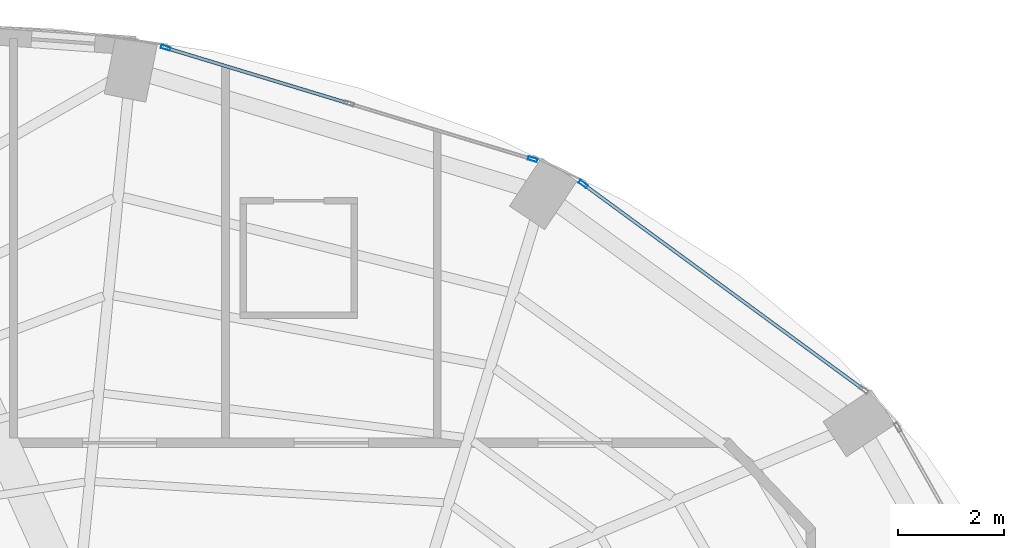
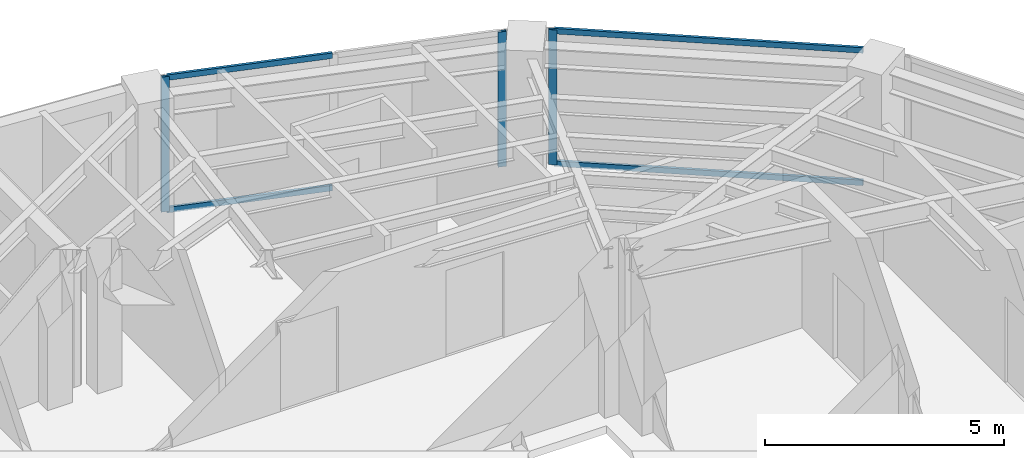
# One storey, part 17 of 23: 7 members, 2 elements without a shape of their own.
"""IFC4 building model written with IfcOpenShell, lengths in metres."""

from ifc_helpers import new_model, si_unit, direction, frame, origin, origin_2d, place, context, subcontext, project, spatial, hollow_rectangle, extrude, material, layer, layer_set, material_profile, profile_set, type_object, element, aggregate, save


model = new_model("IFC4")

# Units and contexts
model_context = context("Model", 3, precision=1e-05, world=origin(), true_north=direction((0.0, 1.0)))
body_context = subcontext(model_context, "Body", "Model", "MODEL_VIEW")
ifc_project = project(units=[si_unit("LENGTHUNIT", "METRE"), si_unit("AREAUNIT", "SQUARE_METRE"), si_unit("VOLUMEUNIT", "CUBIC_METRE"), si_unit("PLANEANGLEUNIT", "RADIAN"), si_unit("MASSUNIT", "GRAM", prefix="KILO")], contexts=[model_context])

# Site, building, storey
site_placement = place(None, origin())
site = spatial("IfcSite", under=ifc_project, at=site_placement, CompositionType="ELEMENT")
building_placement = place(site_placement, origin())
building = spatial("IfcBuilding", under=site, at=building_placement, Name="Lazwardi Medical Tower", CompositionType="ELEMENT")
storey_placement = place(building_placement, frame((0.0, 0.0, 202.1279296875)))
storey = spatial("IfcBuildingStorey", under=building, at=storey_placement, Name="L52", CompositionType="ELEMENT", Elevation=202.1279296875)

# Curtain wall, member
ifc_material_1 = material(Name="Anodised bronze aluminium and solar control glazing", Category="aluminium")
ifc_layer = layer(ifc_material_1, 0.18994140625)
ifc_layer_set = layer_set([ifc_layer], Name="Anodised bronze aluminium and solar control glazing")
curtain_wall_type = type_object("IfcCurtainWallType", Name="CW-SYS-04", PredefinedType="NOTDEFINED", material=ifc_layer_set)
curtain_wall_1_placement = place(storey_placement, origin())
curtain_wall_1 = element("IfcCurtainWall", 1, at=curtain_wall_1_placement, inside=storey, type_object=curtain_wall_type, Name="L52 Unitised bronze curtain wall CW-04", PredefinedType="NOTDEFINED")
ifc_material_2 = material(Name="Anodised bronze aluminium", Category="aluminium")
ifc_material_profile_1 = material_profile(ifc_material_2, hollow_rectangle(XDim=0.06494140625, YDim=0.179931640625, WallThickness=0.00390625, at=origin_2d()), Name="ALU-MULLION 180x65x4")
ifc_profile_set_1 = profile_set([ifc_material_profile_1], Name="Anodised bronze aluminium")
member_type_1 = type_object("IfcMemberType", Name="CW-MUL-03", PredefinedType="MULLION", material=ifc_profile_set_1)
member_1_placement = place(storey_placement, frame((48.75537109375, 43.634765625, 0.0), z_axis=(0.0, 0.0, 1.0), x_axis=(-0.591268230971, -0.806474971121, 0.0)))
member_1 = element("IfcMember", 2, at=member_1_placement, type_object=member_type_1, Name="CW-04 mullion 2", PredefinedType="MULLION", context=body_context, shape_type="SweptSolid", body=[
    extrude(hollow_rectangle(XDim=0.06494140625, YDim=0.179931640625, WallThickness=0.00390625, at=origin_2d()), origin(), (0.0, 0.0, 1.0), 3.447998046875),
])

# Curtain wall, members
curtain_wall_2_placement = place(storey_placement, origin())
curtain_wall_2 = element("IfcCurtainWall", 3, at=curtain_wall_2_placement, inside=storey, type_object=curtain_wall_type, Name="L52 Unitised bronze curtain wall CW-04", PredefinedType="NOTDEFINED")
member_2_placement = place(storey_placement, frame((47.7998046875, 44.103515625, 0.0), z_axis=(0.0, 0.0, 1.0), x_axis=(-0.290581889515, -0.956850126972, 0.0)))
member_2 = element("IfcMember", 4, at=member_2_placement, type_object=member_type_1, Name="CW-04 mullion 1", PredefinedType="MULLION", context=body_context, shape_type="SweptSolid", body=[
    extrude(hollow_rectangle(XDim=0.06494140625, YDim=0.179931640625, WallThickness=0.00390625, at=origin_2d()), origin(), (0.0, 0.0, 1.0), 3.447998046875),
])
member_3_placement = place(storey_placement, frame((40.873046875, 46.20703125, 0.0), z_axis=(0.0, 0.0, 1.0), x_axis=(-0.290581889515, -0.956850126972, 0.0)))
member_3 = element("IfcMember", 5, at=member_3_placement, type_object=member_type_1, Name="CW-04 mullion 3", PredefinedType="MULLION", context=body_context, shape_type="SweptSolid", body=[
    extrude(hollow_rectangle(XDim=0.06494140625, YDim=0.179931640625, WallThickness=0.00390625, at=origin_2d()), origin(), (0.0, 0.0, 1.0), 3.447998046875),
])

# Member
ifc_material_profile_2 = material_profile(ifc_material_2, hollow_rectangle(XDim=0.06494140625, YDim=0.139892578125, WallThickness=0.00341796875, at=origin_2d()), Name="ALU-TRANSOM 140x65x3.5")
ifc_profile_set_2 = profile_set([ifc_material_profile_2], Name="Anodised bronze aluminium")
member_type_2 = type_object("IfcMemberType", Name="CW-TRN-03", PredefinedType="USERDEFINED", material=ifc_profile_set_2)
member_4_placement = place(storey_placement, frame((54.02587890625, 39.770751953125, 0.032470703125), z_axis=(-0.806471831148, 0.591272513791, 0.0), x_axis=(-0.591272513791, -0.806471831148, 0.0)))
member_4 = element("IfcMember", 6, at=member_4_placement, type_object=member_type_2, Name="CW-04 transom 1.1", ObjectType="TRANSOM", PredefinedType="USERDEFINED", context=body_context, shape_type="SweptSolid", body=[
    extrude(hollow_rectangle(XDim=0.06494140625, YDim=0.139892578125, WallThickness=0.00341796875, at=origin_2d()), origin(), (0.0, 0.0, 1.0), 6.5029296875),
])

member_5_placement = place(storey_placement, frame((54.02587890625, 39.770751953125, 3.41552734375), z_axis=(-0.806471831148, 0.591272513791, 0.0), x_axis=(-0.591272513791, -0.806471831148, 0.0)))
member_5 = element("IfcMember", 7, at=member_5_placement, type_object=member_type_2, Name="CW-04 transom 1.2", ObjectType="TRANSOM", PredefinedType="USERDEFINED", context=body_context, shape_type="SweptSolid", body=[
    extrude(hollow_rectangle(XDim=0.06494140625, YDim=0.139892578125, WallThickness=0.00341796875, at=origin_2d()), origin(), (0.0, 0.0, 1.0), 6.5029296875),
])

aggregate(curtain_wall_1, [member_1, member_4, member_5])

member_6_placement = place(storey_placement, frame((44.305419921875, 45.164794921875, 0.032470703125), z_axis=(-0.956862505902, 0.290541124109, 0.0), x_axis=(-0.290541124109, -0.956862505902, 0.0)))
member_6 = element("IfcMember", 8, at=member_6_placement, type_object=member_type_2, Name="CW-04 transom 2.1", ObjectType="TRANSOM", PredefinedType="USERDEFINED", context=body_context, shape_type="SweptSolid", body=[
    extrude(hollow_rectangle(XDim=0.06494140625, YDim=0.139892578125, WallThickness=0.00341796875, at=origin_2d()), origin(), (0.0, 0.0, 1.0), 3.554443359375),
])

member_7_placement = place(storey_placement, frame((44.305419921875, 45.164794921875, 3.41552734375), z_axis=(-0.956862505902, 0.290541124109, 0.0), x_axis=(-0.290541124109, -0.956862505902, 0.0)))
member_7 = element("IfcMember", 9, at=member_7_placement, type_object=member_type_2, Name="CW-04 transom 2.2", ObjectType="TRANSOM", PredefinedType="USERDEFINED", context=body_context, shape_type="SweptSolid", body=[
    extrude(hollow_rectangle(XDim=0.06494140625, YDim=0.139892578125, WallThickness=0.00341796875, at=origin_2d()), origin(), (0.0, 0.0, 1.0), 3.554443359375),
])

aggregate(curtain_wall_2, [member_2, member_3, member_6, member_7])

save(model, "model.ifc")
